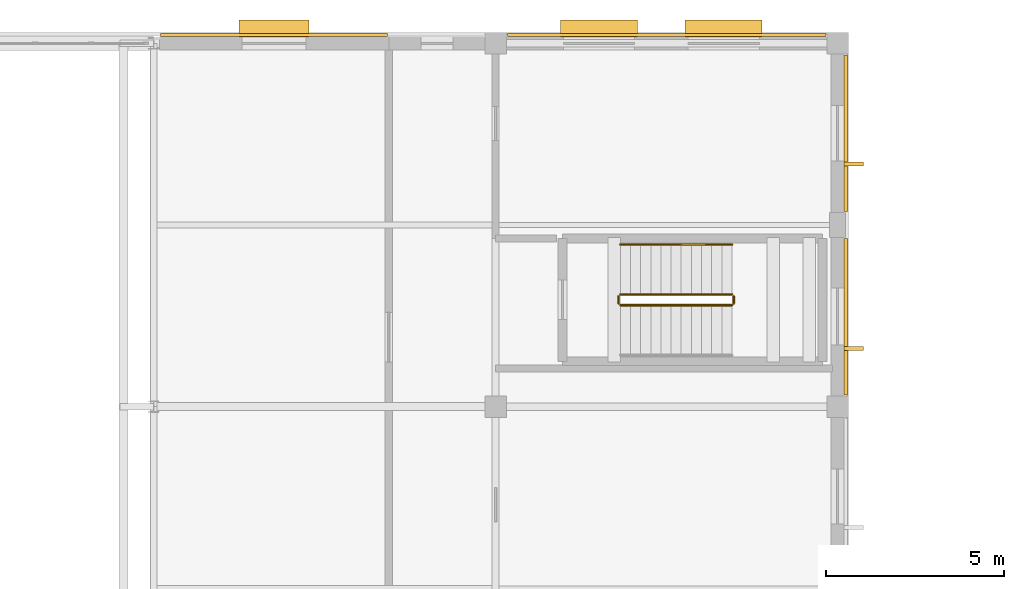
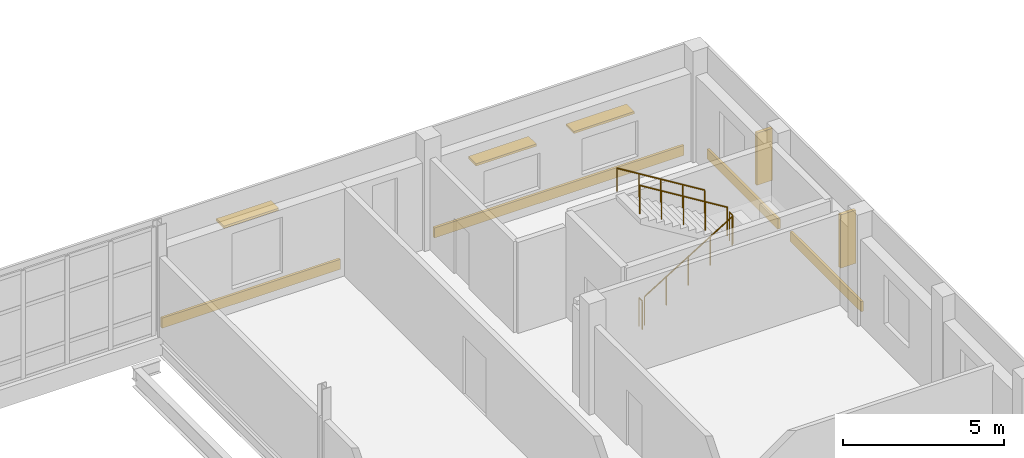
# One storey, part 161 of 170: 5 railings, 5 shading devices, 4 coverings.
"""IFC4 building model written with IfcOpenShell, lengths in metres."""

from ifc_helpers import new_model, si_unit, direction, frame, origin, origin_2d, place, context, subcontext, project, spatial, rectangle, circle, extrude, material, layer, layer_set, type_object, element, save


model = new_model("IFC4")

# Units and contexts
model_context = context("Model", 3, precision=1e-05, world=origin(), true_north=direction((0.0, 1.0)))
body_context = subcontext(model_context, "Body", "Model", "MODEL_VIEW")
ifc_project = project(units=[si_unit("LENGTHUNIT", "METRE"), si_unit("AREAUNIT", "SQUARE_METRE"), si_unit("VOLUMEUNIT", "CUBIC_METRE"), si_unit("PLANEANGLEUNIT", "RADIAN"), si_unit("MASSUNIT", "GRAM", prefix="KILO")], contexts=[model_context])

# Site, building, storey
site_placement = place(None, origin())
site = spatial("IfcSite", under=ifc_project, at=site_placement, CompositionType="ELEMENT")
building_placement = place(site_placement, origin())
building = spatial("IfcBuilding", under=site, at=building_placement, Name="Vondelvale Polytechnic", CompositionType="ELEMENT")
storey_placement = place(building_placement, frame((0.0, 0.0, 5.39990234375)))
storey = spatial("IfcBuildingStorey", under=building, at=storey_placement, Name="L01", CompositionType="ELEMENT", Elevation=5.39990234375)

# Coverings
ifc_material_1 = material(Name="Amsterdam School iron-spot clinker clay brickwork", Category="masonry")
ifc_layer_1 = layer(ifc_material_1, 0.090087890625)
ifc_layer_set_1 = layer_set([ifc_layer_1], Name="COV-BRICK-RELIEF")
covering_type = type_object("IfcCoveringType", Name="COV-BRICK-RELIEF", PredefinedType="CLADDING", material=ifc_layer_set_1)
for number, where, z_axis, x_axis, name in (
    (1, (48.23095703125, 114.72509765625, 0.000244140625), (0.0, 0.0, 1.0), (0.0, -1.0, 0.0), "L01 exterior corbelled masonry relief band"),
    (2, (48.23095703125, 119.875, 0.000244140625), (0.0, 0.0, 1.0), (0.0, -1.0, 0.0), "L01 exterior corbelled masonry relief band"),
):
    element("IfcCovering", number, at=place(storey_placement, frame(where, z_axis=z_axis, x_axis=x_axis)), inside=storey, type_object=covering_type, Name=name, PredefinedType="CLADDING", context=body_context, shape_type="SweptSolid", body=[
        extrude(rectangle(XDim=4.387939453125, YDim=0.090087890625, at=origin_2d()), origin(), (0.0, 0.0, 1.0), 0.3798828125),
    ])
covering_1_placement = place(storey_placement, frame((32.18212890625, 122.631103515625, 0.000244140625), z_axis=(0.0, 0.0, 1.0), x_axis=(1.0, 0.0, 0.0)))
element("IfcCovering", 3, at=covering_1_placement, inside=storey, type_object=covering_type, Name="L01 exterior corbelled masonry relief band", PredefinedType="CLADDING", context=body_context, shape_type="SweptSolid", body=[
    extrude(rectangle(XDim=6.37548828125, YDim=0.090087890625, at=origin_2d()), origin(), (0.0, 0.0, 1.0), 0.3798828125),
])
covering_2_placement = place(storey_placement, frame((43.199951171875, 122.631103515625, 0.000244140625), z_axis=(0.0, 0.0, 1.0), x_axis=(1.0, 0.0, 0.0)))
element("IfcCovering", 4, at=covering_2_placement, inside=storey, type_object=covering_type, Name="L01 exterior corbelled masonry relief band", PredefinedType="CLADDING", context=body_context, shape_type="SweptSolid", body=[
    extrude(rectangle(XDim=8.93798828125, YDim=0.090087890625, at=origin_2d()), origin(), (0.0, 0.0, 1.0), 0.3798828125),
])

# Railings
ifc_material_2 = material(Name="Brushed architectural stainless and zinc-coated metal")
ifc_layer_2 = layer(ifc_material_2, 0.050048828125)
ifc_layer_set_2 = layer_set([ifc_layer_2], Name="RL-STAIR-GUARD")
railing_type_1 = type_object("IfcRailingType", Name="RL-STAIR-GUARD", PredefinedType="GUARDRAIL", material=ifc_layer_set_2)
railing_1_placement = place(storey_placement, frame((41.89990234375, 115.050048828125, 0.175048828125)))
element("IfcRailing", 5, at=railing_1_placement, inside=storey, type_object=railing_type_1, Name="L01 ST-02 stair guard 1", PredefinedType="GUARDRAIL", context=body_context, shape_type="SweptSolid", body=[
    extrude(circle(Radius=0.02392578125, at=origin_2d()), frame((0.0, 0.0, 1.076171875), z_axis=(0.852166034122, 0.0, 0.523271488128), x_axis=(0.0, 1.0, 0.0)), (0.0, 0.0, 1.0), 3.678955078125),
    extrude(circle(Radius=0.02099609375, at=origin_2d()), origin(), (0.0, 0.0, 1.0), 1.052001953125),
    extrude(circle(Radius=0.02099609375, at=origin_2d()), frame((0.78369140625, 0.0, 0.481201171875)), (0.0, 0.0, 1.0), 1.052001953125),
    extrude(circle(Radius=0.02099609375, at=origin_2d()), frame((1.5673828125, 0.0, 0.96240234375)), (0.0, 0.0, 1.0), 1.052001953125),
    extrude(circle(Radius=0.02099609375, at=origin_2d()), frame((2.351318359375, 0.0, 1.44384765625)), (0.0, 0.0, 1.0), 1.052001953125),
    extrude(circle(Radius=0.02099609375, at=origin_2d()), frame((3.135009765625, 0.0, 1.925048828125)), (0.0, 0.0, 1.0), 1.052001953125),
])
railing_2_placement = place(storey_placement, frame((45.0849609375, 115.10009765625, 2.10009765625)))
element("IfcRailing", 6, at=railing_2_placement, inside=storey, type_object=railing_type_1, Name="L01 ST-02 stair guard 2", PredefinedType="GUARDRAIL", context=body_context, shape_type="SweptSolid", body=[
    extrude(circle(Radius=0.02392578125, at=origin_2d()), frame((0.0, 0.0, 1.076171875), z_axis=(0.0, 1.0, 0.0), x_axis=(-1.0, 0.0, 0.0)), (0.0, 0.0, 1.0), 0.199951171875),
    extrude(circle(Radius=0.02099609375, at=origin_2d()), origin(), (0.0, 0.0, 1.0), 1.052001953125),
    extrude(circle(Radius=0.02099609375, at=origin_2d()), frame((0.0, 0.199951171875, 0.0)), (0.0, 0.0, 1.0), 1.052001953125),
])
railing_3_placement = place(storey_placement, frame((45.034912109375, 115.35009765625, 2.275146484375)))
element("IfcRailing", 7, at=railing_3_placement, inside=storey, type_object=railing_type_1, Name="L01 ST-02 stair guard 3", PredefinedType="GUARDRAIL", context=body_context, shape_type="SweptSolid", body=[
    extrude(circle(Radius=0.02392578125, at=origin_2d()), frame((0.0, 0.0, 1.076171875), z_axis=(-0.852166034122, 0.0, 0.523271488128), x_axis=(0.0, -1.0, 0.0)), (0.0, 0.0, 1.0), 3.678955078125),
    extrude(circle(Radius=0.02099609375, at=origin_2d()), origin(), (0.0, 0.0, 1.0), 1.052001953125),
    extrude(circle(Radius=0.02099609375, at=origin_2d()), frame((-0.78369140625, 0.0, 0.481201171875)), (0.0, 0.0, 1.0), 1.052001953125),
    extrude(circle(Radius=0.02099609375, at=origin_2d()), frame((-1.5673828125, 0.0, 0.96240234375)), (0.0, 0.0, 1.0), 1.052001953125),
    extrude(circle(Radius=0.02099609375, at=origin_2d()), frame((-2.351318359375, 0.0, 1.44384765625)), (0.0, 0.0, 1.0), 1.052001953125),
    extrude(circle(Radius=0.02099609375, at=origin_2d()), frame((-3.135009765625, 0.0, 1.925048828125)), (0.0, 0.0, 1.0), 1.052001953125),
])
railing_4_placement = place(storey_placement, frame((41.85009765625, 115.10009765625, 0.0)))
element("IfcRailing", 8, at=railing_4_placement, inside=storey, type_object=railing_type_1, Name="L01 ST-02 stair guard 4", PredefinedType="GUARDRAIL", context=body_context, shape_type="SweptSolid", body=[
    extrude(circle(Radius=0.02392578125, at=origin_2d()), frame((0.0, 0.0, 1.076171875), z_axis=(0.0, 1.0, 0.0), x_axis=(-1.0, 0.0, 0.0)), (0.0, 0.0, 1.0), 0.199951171875),
    extrude(circle(Radius=0.02099609375, at=origin_2d()), origin(), (0.0, 0.0, 1.0), 1.052001953125),
    extrude(circle(Radius=0.02099609375, at=origin_2d()), frame((0.0, 0.199951171875, 0.0)), (0.0, 0.0, 1.0), 1.052001953125),
])
ifc_layer_3 = layer(ifc_material_2, 0.048095703125)
ifc_layer_set_3 = layer_set([ifc_layer_3], Name="RL-STAIR-HANDRAIL")
railing_type_2 = type_object("IfcRailingType", Name="RL-STAIR-HANDRAIL", PredefinedType="HANDRAIL", material=ifc_layer_set_3)
railing_5_placement = place(storey_placement, frame((45.034912109375, 116.75, 2.275146484375)))
element("IfcRailing", 9, at=railing_5_placement, inside=storey, type_object=railing_type_2, Name="L01 ST-02 stair handrail 2", PredefinedType="HANDRAIL", context=body_context, shape_type="SweptSolid", body=[
    extrude(circle(Radius=0.02392578125, at=origin_2d()), frame((0.0, 0.0, 0.8759765625), z_axis=(-0.852166034122, 0.0, 0.523271488128), x_axis=(0.0, -1.0, 0.0)), (0.0, 0.0, 1.0), 3.678955078125),
    extrude(circle(Radius=0.02099609375, at=origin_2d()), origin(), (0.0, 0.0, 1.0), 0.851806640625),
    extrude(circle(Radius=0.02099609375, at=origin_2d()), frame((-0.78369140625, 0.0, 0.481201171875)), (0.0, 0.0, 1.0), 0.851806640625),
    extrude(circle(Radius=0.02099609375, at=origin_2d()), frame((-1.5673828125, 0.0, 0.96240234375)), (0.0, 0.0, 1.0), 0.851806640625),
    extrude(circle(Radius=0.02099609375, at=origin_2d()), frame((-2.351318359375, 0.0, 1.44384765625)), (0.0, 0.0, 1.0), 0.851806640625),
    extrude(circle(Radius=0.02099609375, at=origin_2d()), frame((-3.135009765625, 0.0, 1.925048828125)), (0.0, 0.0, 1.0), 0.851806640625),
])

# Shading devices
ifc_material_3 = material(Name="Anodised extruded aluminium 6063-T6", Category="aluminium")
shading_device_type_1 = type_object("IfcShadingDeviceType", Name="SHD-BRONZE-LOUVRE", PredefinedType="SHUTTER", material=ifc_material_3)
shading_device_1_placement = place(storey_placement, frame((32.182373046875, 122.81494140625, 3.007568359375), z_axis=(0.0, 0.0, 1.0), x_axis=(1.0, 0.0, 0.0)))
element("IfcShadingDevice", 10, at=shading_device_1_placement, inside=storey, type_object=shading_device_type_1, Name="L01 horizontal bronze sun-louvre overhang", PredefinedType="SHUTTER", context=body_context, shape_type="SweptSolid", body=[
    extrude(rectangle(XDim=1.9599609375, YDim=0.47998046875, at=origin_2d()), origin(), (0.0, 0.0, 1.0), 0.0849609375),
])
for number, where, z_axis, x_axis, name in (
    (11, (41.301025390625, 122.81494140625, 2.20751953125), (0.0, 0.0, 1.0), (1.0, 0.0, 0.0), "L01 horizontal bronze sun-louvre overhang"),
    (12, (44.801025390625, 122.81494140625, 2.20751953125), (0.0, 0.0, 1.0), (1.0, 0.0, 0.0), "L01 horizontal bronze sun-louvre overhang"),
):
    element("IfcShadingDevice", number, at=place(storey_placement, frame(where, z_axis=z_axis, x_axis=x_axis)), inside=storey, type_object=shading_device_type_1, Name=name, PredefinedType="SHUTTER", context=body_context, shape_type="SweptSolid", body=[
        extrude(rectangle(XDim=2.159912109375, YDim=0.47998046875, at=origin_2d()), origin(), (0.0, 0.0, 1.0), 0.0849609375),
    ])
ifc_material_4 = material(Name="Kiln-fired architectural terracotta", Category="masonry")
shading_device_type_2 = type_object("IfcShadingDeviceType", Name="SHD-TERRA-FIN-550", PredefinedType="JALOUSIE", material=ifc_material_4)
shading_device_2_placement = place(storey_placement, frame((48.449951171875, 113.8349609375, 0.89013671875), z_axis=(0.0, 0.0, 1.0), x_axis=(0.0, -1.0, 0.0)))
element("IfcShadingDevice", 13, at=shading_device_2_placement, inside=storey, type_object=shading_device_type_2, Name="L01 vertical terracotta solar fin", PredefinedType="JALOUSIE", context=body_context, shape_type="SweptSolid", body=[
    extrude(rectangle(XDim=0.110107421875, YDim=0.550048828125, at=origin_2d()), origin(), (0.0, 0.0, 1.0), 2.02001953125),
])
shading_device_3_placement = place(storey_placement, frame((48.449951171875, 119.010009765625, 0.89013671875), z_axis=(0.0, 0.0, 1.0), x_axis=(0.0, -1.0, 0.0)))
element("IfcShadingDevice", 14, at=shading_device_3_placement, inside=storey, type_object=shading_device_type_2, Name="L01 vertical terracotta solar fin", PredefinedType="JALOUSIE", context=body_context, shape_type="SweptSolid", body=[
    extrude(rectangle(XDim=0.110107421875, YDim=0.550048828125, at=origin_2d()), origin(), (0.0, 0.0, 1.0), 1.969970703125),
])

save(model, "model.ifc")
